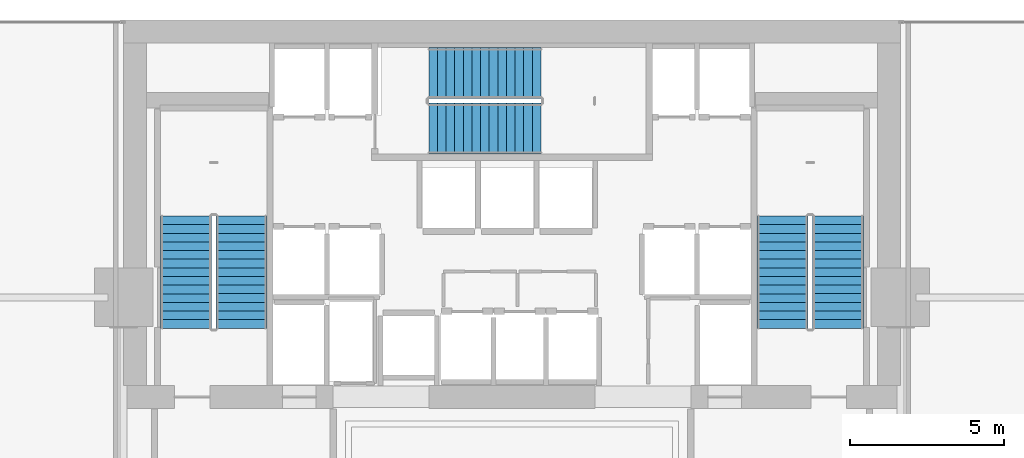
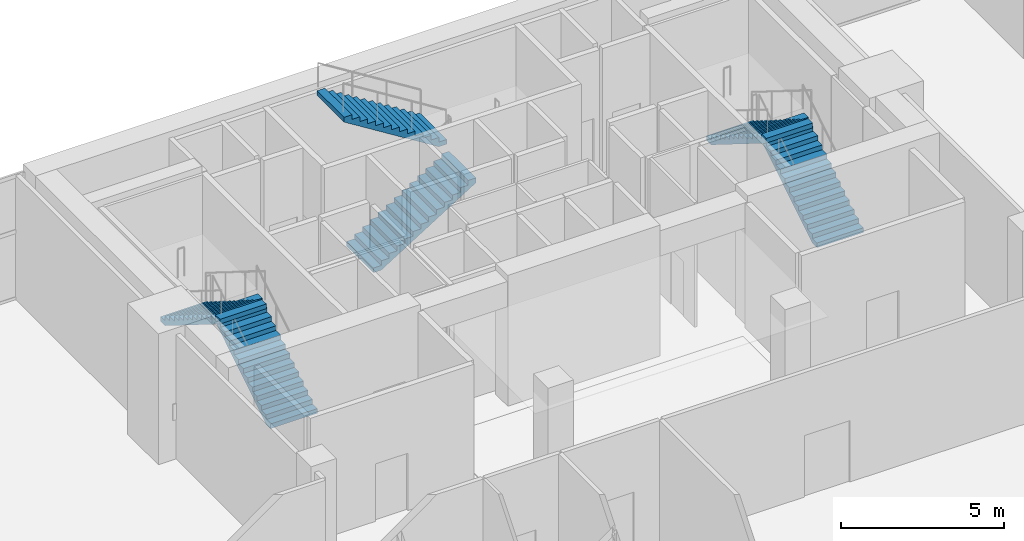
# One storey, part 27 of 31: 6 stair flights, 3 elements without a shape of their own.
"""IFC4 building model written with IfcOpenShell, lengths in metres."""

from ifc_helpers import new_model, si_unit, direction, frame, origin, place, context, subcontext, project, spatial, polyline, outline, extrude, material, type_object, element, aggregate, save


model = new_model("IFC4")

# Units and contexts
model_context = context("Model", 3, precision=1e-05, world=origin(), true_north=direction((0.0, 1.0)))
body_context = subcontext(model_context, "Body", "Model", "MODEL_VIEW")
ifc_project = project(units=[si_unit("LENGTHUNIT", "METRE"), si_unit("AREAUNIT", "SQUARE_METRE"), si_unit("VOLUMEUNIT", "CUBIC_METRE"), si_unit("PLANEANGLEUNIT", "RADIAN"), si_unit("MASSUNIT", "GRAM", prefix="KILO")], contexts=[model_context])

# Site, building, storey
site_placement = place(None, origin())
site = spatial("IfcSite", under=ifc_project, at=site_placement, CompositionType="ELEMENT")
building_placement = place(site_placement, origin())
building = spatial("IfcBuilding", under=site, at=building_placement, Name="Maruvema Waterfront Hotel and Observation Tower", CompositionType="ELEMENT")
storey_placement = place(building_placement, frame((0.0, 0.0, 122.5)))
storey = spatial("IfcBuildingStorey", under=building, at=storey_placement, Name="L29", CompositionType="ELEMENT", Elevation=122.5)

# Stair, stair flights
ifc_material_1 = material(Name="Concrete C50/60", Category="concrete")
stair_type = type_object("IfcStairType", Name="Dogleg Exit Stair 1650 mm (28R x 175.0 mm)", PredefinedType="HALF_TURN_STAIR", material=ifc_material_1)
stair_1_placement = place(storey_placement, origin())
stair_1 = element("IfcStair", 1, at=stair_1_placement, inside=storey, type_object=stair_type, Name="L29 ST-01", PredefinedType="HALF_TURN_STAIR")
ifc_material_2 = material(Name="Concrete C50/60", Category="concrete")
stair_flight_type = type_object("IfcStairFlightType", Name="Reinforced Concrete Stair Flight 1650 mm (14R x 175.0 mm)", PredefinedType="STRAIGHT", material=ifc_material_2)
stair_flight_1_placement = place(storey_placement, frame((29.02490234375, 44.0, 0.0), z_axis=(0.0, 0.0, 1.0), x_axis=(0.0, 1.0, 0.0)))
stair_flight_1 = element("IfcStairFlight", 2, at=stair_flight_1_placement, type_object=stair_flight_type, Name="ST-01 flight 1", NumberOfRisers=14, NumberOfTreads=13, PredefinedType="STRAIGHT", RiserHeight=0.175, TreadLength=0.28, context=body_context, shape_type="SweptSolid", body=[
    extrude(outline(polyline([(0.0, 0.0), (0.0, 0.175048828125), (0.280029296875, 0.175048828125), (0.280029296875, 0.35009765625), (0.56005859375, 0.35009765625), (0.56005859375, 0.52490234375), (0.840087890625, 0.52490234375), (0.840087890625, 0.699951171875), (1.1201171875, 0.699951171875), (1.1201171875, 0.875), (1.39990234375, 0.875), (1.39990234375, 1.050048828125), (1.679931640625, 1.050048828125), (1.679931640625, 1.22509765625), (1.9599609375, 1.22509765625), (1.9599609375, 1.39990234375), (2.239990234375, 1.39990234375), (2.239990234375, 1.574951171875), (2.52001953125, 1.574951171875), (2.52001953125, 1.75), (2.800048828125, 1.75), (2.800048828125, 1.925048828125), (3.080078125, 1.925048828125), (3.080078125, 2.10009765625), (3.360107421875, 2.10009765625), (3.360107421875, 2.27490234375), (3.639892578125, 2.27490234375), (3.639892578125, 2.449951171875), (3.639892578125, 2.09814453125), (0.28271484375, 0.0), (0.0, 0.0)])), frame((0.0, 0.824951171875, 0.0), z_axis=(0.0, -1.0, 0.0), x_axis=(1.0, 0.0, 0.0)), (0.0, 0.0, 1.0), 1.64990234375),
])
stair_flight_2_placement = place(storey_placement, frame((27.22509765625, 47.639892578125, 2.449951171875), z_axis=(0.0, 0.0, 1.0), x_axis=(0.0, -1.0, 0.0)))
stair_flight_2 = element("IfcStairFlight", 3, at=stair_flight_2_placement, type_object=stair_flight_type, Name="ST-01 flight 2", NumberOfRisers=14, NumberOfTreads=13, PredefinedType="STRAIGHT", RiserHeight=0.175, TreadLength=0.28, context=body_context, shape_type="SweptSolid", body=[
    extrude(outline(polyline([(0.0, 0.0), (0.0, 0.175048828125), (0.280029296875, 0.175048828125), (0.280029296875, 0.35009765625), (0.56005859375, 0.35009765625), (0.56005859375, 0.52490234375), (0.840087890625, 0.52490234375), (0.840087890625, 0.699951171875), (1.1201171875, 0.699951171875), (1.1201171875, 0.875), (1.39990234375, 0.875), (1.39990234375, 1.050048828125), (1.679931640625, 1.050048828125), (1.679931640625, 1.22509765625), (1.9599609375, 1.22509765625), (1.9599609375, 1.39990234375), (2.239990234375, 1.39990234375), (2.239990234375, 1.574951171875), (2.52001953125, 1.574951171875), (2.52001953125, 1.75), (2.800048828125, 1.75), (2.800048828125, 1.925048828125), (3.080078125, 1.925048828125), (3.080078125, 2.10009765625), (3.360107421875, 2.10009765625), (3.360107421875, 2.27490234375), (3.639892578125, 2.27490234375), (3.639892578125, 2.449951171875), (3.639892578125, 2.09814453125), (0.28271484375, 0.0), (0.0, 0.0)])), frame((0.0, 0.824951171875, 0.0), z_axis=(0.0, -1.0, 0.0), x_axis=(1.0, 0.0, 0.0)), (0.0, 0.0, 1.0), 1.64990234375),
])
aggregate(stair_1, [stair_flight_1, stair_flight_2])

stair_2_placement = place(storey_placement, origin())
stair_2 = element("IfcStair", 4, at=stair_2_placement, inside=storey, type_object=stair_type, Name="L29 ST-02", PredefinedType="HALF_TURN_STAIR")
stair_flight_3_placement = place(storey_placement, frame((35.10009765625, 50.47509765625, 0.0), z_axis=(0.0, 0.0, 1.0), x_axis=(1.0, 0.0, 0.0)))
stair_flight_3 = element("IfcStairFlight", 5, at=stair_flight_3_placement, type_object=stair_flight_type, Name="ST-02 flight 1", NumberOfRisers=14, NumberOfTreads=13, PredefinedType="STRAIGHT", RiserHeight=0.175, TreadLength=0.28, context=body_context, shape_type="SweptSolid", body=[
    extrude(outline(polyline([(0.0, 0.0), (0.0, 0.175048828125), (0.280029296875, 0.175048828125), (0.280029296875, 0.35009765625), (0.56005859375, 0.35009765625), (0.56005859375, 0.52490234375), (0.840087890625, 0.52490234375), (0.840087890625, 0.699951171875), (1.1201171875, 0.699951171875), (1.1201171875, 0.875), (1.39990234375, 0.875), (1.39990234375, 1.050048828125), (1.679931640625, 1.050048828125), (1.679931640625, 1.22509765625), (1.9599609375, 1.22509765625), (1.9599609375, 1.39990234375), (2.239990234375, 1.39990234375), (2.239990234375, 1.574951171875), (2.52001953125, 1.574951171875), (2.52001953125, 1.75), (2.800048828125, 1.75), (2.800048828125, 1.925048828125), (3.080078125, 1.925048828125), (3.080078125, 2.10009765625), (3.360107421875, 2.10009765625), (3.360107421875, 2.27490234375), (3.639892578125, 2.27490234375), (3.639892578125, 2.449951171875), (3.639892578125, 2.09814453125), (0.28271484375, 0.0), (0.0, 0.0)])), frame((0.0, 0.824951171875, 0.0), z_axis=(0.0, -1.0, 0.0), x_axis=(1.0, 0.0, 0.0)), (0.0, 0.0, 1.0), 1.64990234375),
])
stair_flight_4_placement = place(storey_placement, frame((38.739990234375, 52.27490234375, 2.449951171875), z_axis=(0.0, 0.0, 1.0), x_axis=(-1.0, 0.0, 0.0)))
stair_flight_4 = element("IfcStairFlight", 6, at=stair_flight_4_placement, type_object=stair_flight_type, Name="ST-02 flight 2", NumberOfRisers=14, NumberOfTreads=13, PredefinedType="STRAIGHT", RiserHeight=0.175, TreadLength=0.28, context=body_context, shape_type="SweptSolid", body=[
    extrude(outline(polyline([(0.0, 0.0), (0.0, 0.175048828125), (0.280029296875, 0.175048828125), (0.280029296875, 0.35009765625), (0.56005859375, 0.35009765625), (0.56005859375, 0.52490234375), (0.840087890625, 0.52490234375), (0.840087890625, 0.699951171875), (1.1201171875, 0.699951171875), (1.1201171875, 0.875), (1.39990234375, 0.875), (1.39990234375, 1.050048828125), (1.679931640625, 1.050048828125), (1.679931640625, 1.22509765625), (1.9599609375, 1.22509765625), (1.9599609375, 1.39990234375), (2.239990234375, 1.39990234375), (2.239990234375, 1.574951171875), (2.52001953125, 1.574951171875), (2.52001953125, 1.75), (2.800048828125, 1.75), (2.800048828125, 1.925048828125), (3.080078125, 1.925048828125), (3.080078125, 2.10009765625), (3.360107421875, 2.10009765625), (3.360107421875, 2.27490234375), (3.639892578125, 2.27490234375), (3.639892578125, 2.449951171875), (3.639892578125, 2.09814453125), (0.28271484375, 0.0), (0.0, 0.0)])), frame((0.0, 0.824951171875, 0.0), z_axis=(0.0, -1.0, 0.0), x_axis=(1.0, 0.0, 0.0)), (0.0, 0.0, 1.0), 1.64990234375),
])
aggregate(stair_2, [stair_flight_3, stair_flight_4])

stair_3_placement = place(storey_placement, origin())
stair_3 = element("IfcStair", 7, at=stair_3_placement, inside=storey, type_object=stair_type, Name="L29 ST-03", PredefinedType="HALF_TURN_STAIR")
stair_flight_5_placement = place(storey_placement, frame((48.375, 44.0, 0.0), z_axis=(0.0, 0.0, 1.0), x_axis=(0.0, 1.0, 0.0)))
stair_flight_5 = element("IfcStairFlight", 8, at=stair_flight_5_placement, type_object=stair_flight_type, Name="ST-03 flight 1", NumberOfRisers=14, NumberOfTreads=13, PredefinedType="STRAIGHT", RiserHeight=0.175, TreadLength=0.28, context=body_context, shape_type="SweptSolid", body=[
    extrude(outline(polyline([(0.0, 0.0), (0.0, 0.175048828125), (0.280029296875, 0.175048828125), (0.280029296875, 0.35009765625), (0.56005859375, 0.35009765625), (0.56005859375, 0.52490234375), (0.840087890625, 0.52490234375), (0.840087890625, 0.699951171875), (1.1201171875, 0.699951171875), (1.1201171875, 0.875), (1.39990234375, 0.875), (1.39990234375, 1.050048828125), (1.679931640625, 1.050048828125), (1.679931640625, 1.22509765625), (1.9599609375, 1.22509765625), (1.9599609375, 1.39990234375), (2.239990234375, 1.39990234375), (2.239990234375, 1.574951171875), (2.52001953125, 1.574951171875), (2.52001953125, 1.75), (2.800048828125, 1.75), (2.800048828125, 1.925048828125), (3.080078125, 1.925048828125), (3.080078125, 2.10009765625), (3.360107421875, 2.10009765625), (3.360107421875, 2.27490234375), (3.639892578125, 2.27490234375), (3.639892578125, 2.449951171875), (3.639892578125, 2.09814453125), (0.28271484375, 0.0), (0.0, 0.0)])), frame((0.0, 0.824951171875, 0.0), z_axis=(0.0, -1.0, 0.0), x_axis=(1.0, 0.0, 0.0)), (0.0, 0.0, 1.0), 1.64990234375),
])
stair_flight_6_placement = place(storey_placement, frame((46.574951171875, 47.639892578125, 2.449951171875), z_axis=(0.0, 0.0, 1.0), x_axis=(0.0, -1.0, 0.0)))
stair_flight_6 = element("IfcStairFlight", 9, at=stair_flight_6_placement, type_object=stair_flight_type, Name="ST-03 flight 2", NumberOfRisers=14, NumberOfTreads=13, PredefinedType="STRAIGHT", RiserHeight=0.175, TreadLength=0.28, context=body_context, shape_type="SweptSolid", body=[
    extrude(outline(polyline([(0.0, 0.0), (0.0, 0.175048828125), (0.280029296875, 0.175048828125), (0.280029296875, 0.35009765625), (0.56005859375, 0.35009765625), (0.56005859375, 0.52490234375), (0.840087890625, 0.52490234375), (0.840087890625, 0.699951171875), (1.1201171875, 0.699951171875), (1.1201171875, 0.875), (1.39990234375, 0.875), (1.39990234375, 1.050048828125), (1.679931640625, 1.050048828125), (1.679931640625, 1.22509765625), (1.9599609375, 1.22509765625), (1.9599609375, 1.39990234375), (2.239990234375, 1.39990234375), (2.239990234375, 1.574951171875), (2.52001953125, 1.574951171875), (2.52001953125, 1.75), (2.800048828125, 1.75), (2.800048828125, 1.925048828125), (3.080078125, 1.925048828125), (3.080078125, 2.10009765625), (3.360107421875, 2.10009765625), (3.360107421875, 2.27490234375), (3.639892578125, 2.27490234375), (3.639892578125, 2.449951171875), (3.639892578125, 2.09814453125), (0.28271484375, 0.0), (0.0, 0.0)])), frame((0.0, 0.824951171875, 0.0), z_axis=(0.0, -1.0, 0.0), x_axis=(1.0, 0.0, 0.0)), (0.0, 0.0, 1.0), 1.64990234375),
])
aggregate(stair_3, [stair_flight_5, stair_flight_6])

save(model, "model.ifc")
